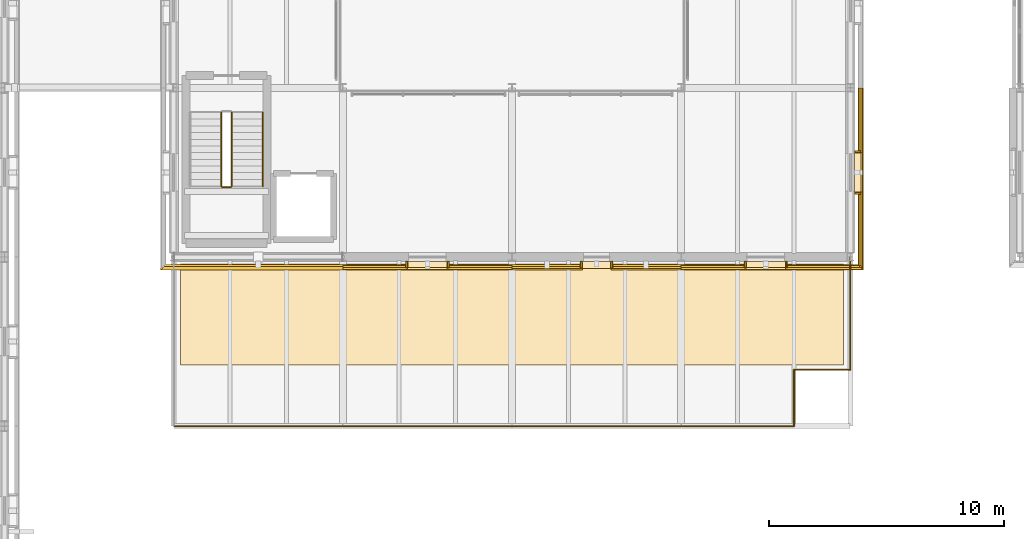
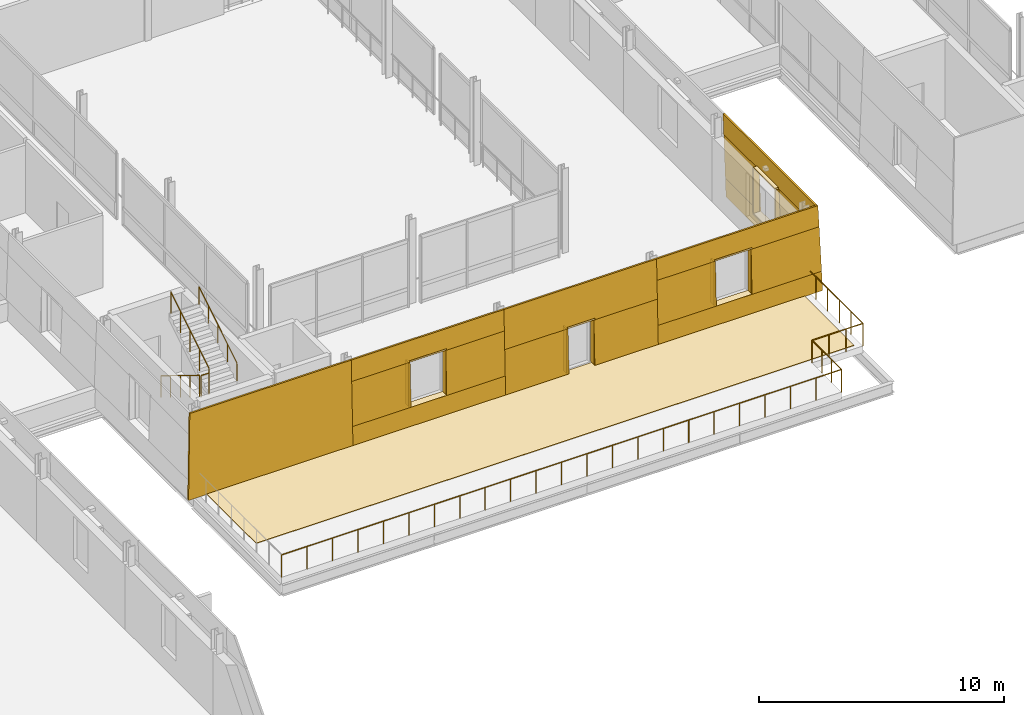
# One storey, part 77 of 91: 32 coverings, 8 railings.
"""IFC4 building model written with IfcOpenShell, lengths in metres."""

from ifc_helpers import new_model, si_unit, direction, frame, origin, origin_2d, place, context, subcontext, project, spatial, polyline, circle, outline, extrude, material, layer, layer_set, type_object, element, save


model = new_model("IFC4")

# Units and contexts
model_context = context("Model", 3, precision=1e-05, world=origin(), true_north=direction((0.0, 1.0)))
body_context = subcontext(model_context, "Body", "Model", "MODEL_VIEW")
ifc_project = project(units=[si_unit("LENGTHUNIT", "METRE"), si_unit("AREAUNIT", "SQUARE_METRE"), si_unit("VOLUMEUNIT", "CUBIC_METRE"), si_unit("PLANEANGLEUNIT", "RADIAN"), si_unit("MASSUNIT", "GRAM", prefix="KILO")], contexts=[model_context])

# Site, building, storey
site_placement = place(None, origin())
site = spatial("IfcSite", under=ifc_project, at=site_placement, CompositionType="ELEMENT")
building_placement = place(site_placement, origin())
building = spatial("IfcBuilding", under=site, at=building_placement, Name="Narikvali Park Central Library", CompositionType="ELEMENT")
storey_placement = place(building_placement, frame((0.0, 0.0, 14.39990234375)))
storey = spatial("IfcBuildingStorey", under=building, at=storey_placement, Name="L03", CompositionType="ELEMENT", Elevation=14.39990234375)

# Coverings
ifc_material_1 = material(Name="White Honed Limestone Cladding", Category="masonry")
ifc_layer_1 = layer(ifc_material_1, 0.0849609375, Name="White Honed Limestone Cladding")
ifc_layer_set_1 = layer_set([ifc_layer_1], Name="White Honed Limestone Cladding")
covering_type_1 = type_object("IfcCoveringType", Name="Battered White Limestone Facade Cladding Panel", PredefinedType="CLADDING", material=ifc_layer_set_1)
covering_1_placement = place(storey_placement, frame((28.2451171875, 57.045166015625, 0.0), z_axis=(0.0, -0.999434152338, 0.033635920379), x_axis=(1.0, 0.0, 0.0)))
element("IfcCovering", 1, at=covering_1_placement, inside=storey, type_object=covering_type_1, Name="V4 L03 S Battered Limestone Panel B01", PredefinedType="CLADDING", context=body_context, shape_type="SweptSolid", body=[
    extrude(outline(polyline([(0.0, 0.0), (7.7548828125, 0.0), (7.7548828125, 4.202573328791078), (0.141357421875, 4.202573328791078), (0.0, 0.0)])), origin(), (0.0, 0.0, -1.0), 0.0849609375),
])
covering_2_placement = place(storey_placement, frame((36.0, 57.045166015625, 0.0), z_axis=(0.0, -0.999434023877, 0.033639737186), x_axis=(1.0, 0.0, 0.0)))
element("IfcCovering", 2, at=covering_2_placement, inside=storey, type_object=covering_type_1, Name="V4 L03 S Battered Limestone Spandrel B02", PredefinedType="CLADDING", context=body_context, shape_type="SweptSolid", body=[
    extrude(outline(polyline([(0.0, 0.0), (7.199951171875, 0.0), (7.199951171875, 0.9507334049069504), (0.0, 0.9507334049069504), (0.0, 0.0)])), origin(), (0.0, 0.0, -1.0), 0.0849609375),
])
covering_3_placement = place(storey_placement, frame((36.0, 57.151123046875, 3.150146484375), z_axis=(0.0, -0.999432197748, 0.033693947611), x_axis=(1.0, 0.0, 0.0)))
element("IfcCovering", 3, at=covering_3_placement, inside=storey, type_object=covering_type_1, Name="V4 L03 S Battered Limestone Lintel B02", PredefinedType="CLADDING", context=body_context, shape_type="SweptSolid", body=[
    extrude(outline(polyline([(0.0, 0.0), (7.199951171875, 0.0), (7.199951171875, 1.0506453869422776), (0.0, 1.0506453869422776), (0.0, 0.0)])), origin(), (0.0, 0.0, -1.0), 0.0849609375),
])
for number, where, z_axis, x_axis, name in (
    (4, (36.0, 57.0771484375, 0.9501953125), (0.0, -0.999435139525, 0.033606574995), (1.0, 0.0, 0.0), "V4 L03 S Battered Limestone Jamb Pier L B02"),
    (5, (40.43994140625, 57.0771484375, 0.9501953125), (0.0, -0.999435139525, 0.033606574995), (1.0, 0.0, 0.0), "V4 L03 S Battered Limestone Jamb Pier R B02"),
):
    element("IfcCovering", number, at=place(storey_placement, frame(where, z_axis=z_axis, x_axis=x_axis)), inside=storey, type_object=covering_type_1, Name=name, PredefinedType="CLADDING", context=body_context, shape_type="SweptSolid", body=[
        extrude(outline(polyline([(0.0, 0.0), (2.760009765625, 0.0), (2.760009765625, 2.201194539668489), (0.0, 2.201194539668489), (0.0, 0.0)])), origin(), (0.0, 0.0, -1.0), 0.0849609375),
    ])
for number, where, z_axis, x_axis, name in (
    (6, (43.199951171875, 57.045166015625, 0.0), (0.0, -0.999433362172, 0.033659390617), (1.0, 0.0, 0.0), "V4 L03 S Battered Portal Pier L B03"),
    (7, (47.409912109375, 57.045166015625, 0.0), (0.0, -0.999433362172, 0.033659390617), (1.0, 0.0, 0.0), "V4 L03 S Battered Portal Pier R B03"),
):
    element("IfcCovering", number, at=place(storey_placement, frame(where, z_axis=z_axis, x_axis=x_axis)), inside=storey, type_object=covering_type_1, Name=name, PredefinedType="CLADDING", context=body_context, shape_type="SweptSolid", body=[
        extrude(outline(polyline([(0.0, 0.0), (2.989990234375, 0.0), (2.989990234375, 2.241260217195488), (0.0, 2.241260217195488), (0.0, 0.0)])), origin(), (0.0, 0.0, -1.0), 0.0849609375),
    ])
covering_4_placement = place(storey_placement, frame((43.199951171875, 57.12060546875, 2.239990234375), z_axis=(0.0, -0.999435054613, 0.033609100105), x_axis=(1.0, 0.0, 0.0)))
element("IfcCovering", 8, at=covering_4_placement, inside=storey, type_object=covering_type_1, Name="V4 L03 S Battered Portal Header B03", PredefinedType="CLADDING", context=body_context, shape_type="SweptSolid", body=[
    extrude(outline(polyline([(0.0, 0.0), (7.199951171875, 0.0), (7.199951171875, 1.961313112919802), (0.0, 1.961313112919802), (0.0, 0.0)])), origin(), (0.0, 0.0, -1.0), 0.0849609375),
])
covering_5_placement = place(storey_placement, frame((50.39990234375, 57.045166015625, 0.0), z_axis=(0.0, -0.999434023877, 0.033639737186), x_axis=(1.0, 0.0, 0.0)))
element("IfcCovering", 9, at=covering_5_placement, inside=storey, type_object=covering_type_1, Name="V4 L03 S Battered Limestone Spandrel B04", PredefinedType="CLADDING", context=body_context, shape_type="SweptSolid", body=[
    extrude(outline(polyline([(0.0, 0.0), (7.7548828125, 0.0), (7.722900390625, 0.9507334049069504), (0.0, 0.9507334049069504), (0.0, 0.0)])), origin(), (0.0, 0.0, -1.0), 0.0849609375),
])
covering_6_placement = place(storey_placement, frame((50.39990234375, 57.151123046875, 3.150146484375), z_axis=(0.0, -0.999432197748, 0.033693947611), x_axis=(1.0, 0.0, 0.0)))
element("IfcCovering", 10, at=covering_6_placement, inside=storey, type_object=covering_type_1, Name="V4 L03 S Battered Limestone Lintel B04", PredefinedType="CLADDING", context=body_context, shape_type="SweptSolid", body=[
    extrude(outline(polyline([(0.0, 0.0), (7.64892578125, 0.0), (7.613525390625, 1.0506453869422776), (0.0, 1.0506453869422776), (0.0, 0.0)])), origin(), (0.0, 0.0, -1.0), 0.0849609375),
])
covering_7_placement = place(storey_placement, frame((50.39990234375, 57.0771484375, 0.9501953125), z_axis=(0.0, -0.999435139525, 0.033606574995), x_axis=(1.0, 0.0, 0.0)))
element("IfcCovering", 11, at=covering_7_placement, inside=storey, type_object=covering_type_1, Name="V4 L03 S Battered Limestone Jamb Pier L B04", PredefinedType="CLADDING", context=body_context, shape_type="SweptSolid", body=[
    extrude(outline(polyline([(0.0, 0.0), (2.760009765625, 0.0), (2.760009765625, 2.201194539668489), (0.0, 2.201194539668489), (0.0, 0.0)])), origin(), (0.0, 0.0, -1.0), 0.0849609375),
])
covering_8_placement = place(storey_placement, frame((54.840087890625, 57.0771484375, 0.9501953125), z_axis=(0.0, -0.999435139525, 0.033606574995), x_axis=(1.0, 0.0, 0.0)))
element("IfcCovering", 12, at=covering_8_placement, inside=storey, type_object=covering_type_1, Name="V4 L03 S Battered Limestone Jamb Pier R B04", PredefinedType="CLADDING", context=body_context, shape_type="SweptSolid", body=[
    extrude(outline(polyline([(0.0, 0.0), (3.28271484375, 0.0), (3.208740234375, 2.201194539668488), (0.0, 2.201194539668488), (0.0, 0.0)])), origin(), (0.0, 0.0, -1.0), 0.0849609375),
])
covering_9_placement = place(storey_placement, frame((58.15478515625, 57.130126953125, 0.0), z_axis=(0.999434023877, 0.0, 0.033639737186), x_axis=(0.0, 1.0, 0.0)))
element("IfcCovering", 13, at=covering_9_placement, inside=storey, type_object=covering_type_1, Name="V4 L03 E Battered Limestone Spandrel B01", PredefinedType="CLADDING", context=body_context, shape_type="SweptSolid", body=[
    extrude(outline(polyline([(0.0, 0.0), (7.669921875, 0.0), (7.669921875, 0.9507334049069504), (0.031982421875, 0.9507334049069504), (0.0, 0.0)])), origin(), (0.0, 0.0, -1.0), 0.0849609375),
])
covering_10_placement = place(storey_placement, frame((58.048828125, 57.236083984375, 3.150146484375), z_axis=(0.999432197748, 0.0, 0.033693947611), x_axis=(0.0, 1.0, 0.0)))
element("IfcCovering", 14, at=covering_10_placement, inside=storey, type_object=covering_type_1, Name="V4 L03 E Battered Limestone Lintel B01", PredefinedType="CLADDING", context=body_context, shape_type="SweptSolid", body=[
    extrude(outline(polyline([(0.0, 0.0), (7.56396484375, 0.0), (7.56396484375, 1.0506453869422776), (0.035400390625, 1.0506453869422776), (0.0, 0.0)])), origin(), (0.0, 0.0, -1.0), 0.0849609375),
])
covering_11_placement = place(storey_placement, frame((58.122802734375, 57.162109375, 0.9501953125), z_axis=(0.999435139525, 0.0, 0.033606574995), x_axis=(0.0, 1.0, 0.0)))
element("IfcCovering", 15, at=covering_11_placement, inside=storey, type_object=covering_type_1, Name="V4 L03 E Battered Limestone Jamb Pier L B01", PredefinedType="CLADDING", context=body_context, shape_type="SweptSolid", body=[
    extrude(outline(polyline([(0.0, 0.0), (3.197998046875, 0.0), (3.197998046875, 2.2011945396684887), (0.073974609375, 2.2011945396684887), (0.0, 0.0)])), origin(), (0.0, 0.0, -1.0), 0.0849609375),
])
covering_12_placement = place(storey_placement, frame((58.122802734375, 62.0400390625, 0.9501953125), z_axis=(0.999435139525, 0.0, 0.033606574995), x_axis=(0.0, 1.0, 0.0)))
element("IfcCovering", 16, at=covering_12_placement, inside=storey, type_object=covering_type_1, Name="V4 L03 E Battered Limestone Jamb Pier R B01", PredefinedType="CLADDING", context=body_context, shape_type="SweptSolid", body=[
    extrude(outline(polyline([(0.0, 0.0), (2.760009765625, 0.0), (2.760009765625, 2.201194539668489), (0.0, 2.201194539668489), (0.0, 0.0)])), origin(), (0.0, 0.0, -1.0), 0.0849609375),
])
ifc_layer_2 = layer(ifc_material_1, 0.080078125, Name="White Honed Limestone Cladding")
ifc_layer_set_2 = layer_set([ifc_layer_2], Name="White Honed Limestone Cladding")
covering_type_2 = type_object("IfcCoveringType", Name="Deep Carved White Limestone Window Reveal", PredefinedType="CLADDING", material=ifc_layer_set_2)
covering_13_placement = place(storey_placement, frame((0.0, 0.0, 3.150146484375)))
element("IfcCovering", 17, at=covering_13_placement, inside=storey, type_object=covering_type_2, Name="Deep Stone Reveal Head V4-RVL-L03-S-B02", PredefinedType="CLADDING", context=body_context, shape_type="SweptSolid", body=[
    extrude(outline(polyline([(38.719970703125, 57.4150390625), (40.47998046875, 57.4150390625), (40.47998046875, 57.151123046875), (38.719970703125, 57.151123046875), (38.719970703125, 57.4150390625)])), origin(), (0.0, 0.0, 1.0), 0.079833984375),
])
covering_14_placement = place(storey_placement, frame((0.0, 0.0, 0.8701171875)))
element("IfcCovering", 18, at=covering_14_placement, inside=storey, type_object=covering_type_2, Name="Deep Stone Reveal Sill V4-RVL-L03-S-B02", PredefinedType="CLADDING", context=body_context, shape_type="SweptSolid", body=[
    extrude(outline(polyline([(38.719970703125, 57.4150390625), (40.47998046875, 57.4150390625), (40.47998046875, 57.0771484375), (38.719970703125, 57.0771484375), (38.719970703125, 57.4150390625)])), origin(), (0.0, 0.0, 1.0), 0.080078125),
])
covering_15_placement = place(storey_placement, frame((0.0, 0.0, 0.9501953125)))
element("IfcCovering", 19, at=covering_15_placement, inside=storey, type_object=covering_type_2, Name="Deep Stone Reveal Jamb L V4-RVL-L03-S-B02", PredefinedType="CLADDING", context=body_context, shape_type="SweptSolid", body=[
    extrude(outline(polyline([(38.679931640625, 57.4150390625), (38.760009765625, 57.4150390625), (38.760009765625, 57.151123046875), (38.679931640625, 57.151123046875), (38.679931640625, 57.4150390625)])), origin(), (0.0, 0.0, 1.0), 2.199951171875),
])
covering_16_placement = place(storey_placement, frame((0.0, 0.0, 0.9501953125)))
element("IfcCovering", 20, at=covering_16_placement, inside=storey, type_object=covering_type_2, Name="Deep Stone Reveal Jamb R V4-RVL-L03-S-B02", PredefinedType="CLADDING", context=body_context, shape_type="SweptSolid", body=[
    extrude(outline(polyline([(40.43994140625, 57.4150390625), (40.52001953125, 57.4150390625), (40.52001953125, 57.151123046875), (40.43994140625, 57.151123046875), (40.43994140625, 57.4150390625)])), origin(), (0.0, 0.0, 1.0), 2.199951171875),
])
covering_17_placement = place(storey_placement, frame((0.0, 0.0, 2.239990234375)))
element("IfcCovering", 21, at=covering_17_placement, inside=storey, type_object=covering_type_2, Name="Deep Stone Reveal Head V4-RVL-L03-S-B03", PredefinedType="CLADDING", context=body_context, shape_type="SweptSolid", body=[
    extrude(outline(polyline([(46.14990234375, 57.4150390625), (47.449951171875, 57.4150390625), (47.449951171875, 57.12060546875), (46.14990234375, 57.12060546875), (46.14990234375, 57.4150390625)])), origin(), (0.0, 0.0, 1.0), 0.080078125),
])
covering_18_placement = place(storey_placement, frame((0.0, 0.0, 0.02001953125)))
element("IfcCovering", 22, at=covering_18_placement, inside=storey, type_object=covering_type_2, Name="Deep Stone Reveal Jamb L V4-RVL-L03-S-B03", PredefinedType="CLADDING", context=body_context, shape_type="SweptSolid", body=[
    extrude(outline(polyline([(46.110107421875, 57.4150390625), (46.18994140625, 57.4150390625), (46.18994140625, 57.12060546875), (46.110107421875, 57.12060546875), (46.110107421875, 57.4150390625)])), origin(), (0.0, 0.0, 1.0), 2.219970703125),
])
covering_19_placement = place(storey_placement, frame((0.0, 0.0, 0.02001953125)))
element("IfcCovering", 23, at=covering_19_placement, inside=storey, type_object=covering_type_2, Name="Deep Stone Reveal Jamb R V4-RVL-L03-S-B03", PredefinedType="CLADDING", context=body_context, shape_type="SweptSolid", body=[
    extrude(outline(polyline([(47.409912109375, 57.4150390625), (47.489990234375, 57.4150390625), (47.489990234375, 57.12060546875), (47.409912109375, 57.12060546875), (47.409912109375, 57.4150390625)])), origin(), (0.0, 0.0, 1.0), 2.219970703125),
])
covering_20_placement = place(storey_placement, frame((0.0, 0.0, 3.150146484375)))
element("IfcCovering", 24, at=covering_20_placement, inside=storey, type_object=covering_type_2, Name="Deep Stone Reveal Head V4-RVL-L03-S-B04", PredefinedType="CLADDING", context=body_context, shape_type="SweptSolid", body=[
    extrude(outline(polyline([(53.1201171875, 57.4150390625), (54.8798828125, 57.4150390625), (54.8798828125, 57.151123046875), (53.1201171875, 57.151123046875), (53.1201171875, 57.4150390625)])), origin(), (0.0, 0.0, 1.0), 0.079833984375),
])
covering_21_placement = place(storey_placement, frame((0.0, 0.0, 0.8701171875)))
element("IfcCovering", 25, at=covering_21_placement, inside=storey, type_object=covering_type_2, Name="Deep Stone Reveal Sill V4-RVL-L03-S-B04", PredefinedType="CLADDING", context=body_context, shape_type="SweptSolid", body=[
    extrude(outline(polyline([(53.1201171875, 57.4150390625), (54.8798828125, 57.4150390625), (54.8798828125, 57.0771484375), (53.1201171875, 57.0771484375), (53.1201171875, 57.4150390625)])), origin(), (0.0, 0.0, 1.0), 0.080078125),
])
covering_22_placement = place(storey_placement, frame((0.0, 0.0, 0.9501953125)))
element("IfcCovering", 26, at=covering_22_placement, inside=storey, type_object=covering_type_2, Name="Deep Stone Reveal Jamb L V4-RVL-L03-S-B04", PredefinedType="CLADDING", context=body_context, shape_type="SweptSolid", body=[
    extrude(outline(polyline([(53.080078125, 57.4150390625), (53.159912109375, 57.4150390625), (53.159912109375, 57.151123046875), (53.080078125, 57.151123046875), (53.080078125, 57.4150390625)])), origin(), (0.0, 0.0, 1.0), 2.199951171875),
])
covering_23_placement = place(storey_placement, frame((0.0, 0.0, 0.9501953125)))
element("IfcCovering", 27, at=covering_23_placement, inside=storey, type_object=covering_type_2, Name="Deep Stone Reveal Jamb R V4-RVL-L03-S-B04", PredefinedType="CLADDING", context=body_context, shape_type="SweptSolid", body=[
    extrude(outline(polyline([(54.840087890625, 57.4150390625), (54.919921875, 57.4150390625), (54.919921875, 57.151123046875), (54.840087890625, 57.151123046875), (54.840087890625, 57.4150390625)])), origin(), (0.0, 0.0, 1.0), 2.199951171875),
])
covering_24_placement = place(storey_placement, frame((0.0, 0.0, 3.150146484375)))
element("IfcCovering", 28, at=covering_24_placement, inside=storey, type_object=covering_type_2, Name="Deep Stone Reveal Head V4-RVL-L03-E-B01", PredefinedType="CLADDING", context=body_context, shape_type="SweptSolid", body=[
    extrude(outline(polyline([(57.784912109375, 60.320068359375), (57.784912109375, 62.080078125), (58.048828125, 62.080078125), (58.048828125, 60.320068359375), (57.784912109375, 60.320068359375)])), origin(), (0.0, 0.0, 1.0), 0.079833984375),
])
covering_25_placement = place(storey_placement, frame((0.0, 0.0, 0.8701171875)))
element("IfcCovering", 29, at=covering_25_placement, inside=storey, type_object=covering_type_2, Name="Deep Stone Reveal Sill V4-RVL-L03-E-B01", PredefinedType="CLADDING", context=body_context, shape_type="SweptSolid", body=[
    extrude(outline(polyline([(57.784912109375, 60.320068359375), (57.784912109375, 62.080078125), (58.122802734375, 62.080078125), (58.122802734375, 60.320068359375), (57.784912109375, 60.320068359375)])), origin(), (0.0, 0.0, 1.0), 0.080078125),
])
covering_26_placement = place(storey_placement, frame((0.0, 0.0, 0.9501953125)))
element("IfcCovering", 30, at=covering_26_placement, inside=storey, type_object=covering_type_2, Name="Deep Stone Reveal Jamb L V4-RVL-L03-E-B01", PredefinedType="CLADDING", context=body_context, shape_type="SweptSolid", body=[
    extrude(outline(polyline([(57.784912109375, 60.280029296875), (57.784912109375, 60.360107421875), (58.048828125, 60.360107421875), (58.048828125, 60.280029296875), (57.784912109375, 60.280029296875)])), origin(), (0.0, 0.0, 1.0), 2.199951171875),
])
covering_27_placement = place(storey_placement, frame((0.0, 0.0, 0.9501953125)))
element("IfcCovering", 31, at=covering_27_placement, inside=storey, type_object=covering_type_2, Name="Deep Stone Reveal Jamb R V4-RVL-L03-E-B01", PredefinedType="CLADDING", context=body_context, shape_type="SweptSolid", body=[
    extrude(outline(polyline([(57.784912109375, 62.0400390625), (57.784912109375, 62.1201171875), (58.048828125, 62.1201171875), (58.048828125, 62.0400390625), (57.784912109375, 62.0400390625)])), origin(), (0.0, 0.0, 1.0), 2.199951171875),
])
ifc_material_2 = material(Name="Root-Resistant EPDM Waterproofing Membrane")
ifc_layer_3 = layer(ifc_material_2, 0.02490234375, Name="Root-Resistant EPDM Waterproofing Membrane")
ifc_layer_set_3 = layer_set([ifc_layer_3], Name="Root-Resistant EPDM Waterproofing Membrane")
covering_type_3 = type_object("IfcCoveringType", Name="Planted Roof Waterproofing Membrane", PredefinedType="MEMBRANE", material=ifc_layer_set_3)
covering_28_placement = place(storey_placement, origin())
element("IfcCovering", 32, at=covering_28_placement, inside=storey, type_object=covering_type_3, Name="V4 L03 Terrace EPDM Membrane", PredefinedType="MEMBRANE", context=body_context, shape_type="SweptSolid", body=[
    extrude(outline(polyline([(29.10009765625, 53.0), (57.300048828125, 53.0), (57.300048828125, 57.300048828125), (29.10009765625, 57.300048828125), (29.10009765625, 53.0)])), origin(), (0.0, 0.0, 1.0), 0.025146484375),
])

# Railings
ifc_material_3 = material(Name="Brushed Stainless Steel S355", Category="steel")
ifc_layer_4 = layer(ifc_material_3, 0.044921875, Name="Brushed Stainless Steel S355")
ifc_layer_set_4 = layer_set([ifc_layer_4], Name="Brushed Stainless Steel S355")
railing_type_1 = type_object("IfcRailingType", Name="Stair Tubular Steel Handrail 900", PredefinedType="HANDRAIL", material=ifc_layer_set_4)
railing_1_placement = place(storey_placement, frame((32.60009765625, 60.614990234375, 2.275146484375)))
element("IfcRailing", 33, at=railing_1_placement, inside=storey, type_object=railing_type_1, Name="L03 ST-07 stair handrail 2", PredefinedType="HANDRAIL", context=body_context, shape_type="SweptSolid", body=[
    extrude(circle(Radius=0.02392578125, at=origin_2d()), frame((0.0, 0.0, 0.8759765625), z_axis=(0.0, 0.852166034122, 0.523271488128), x_axis=(-1.0, 0.0, 0.0)), (0.0, 0.0, 1.0), 3.678955078125),
    extrude(circle(Radius=0.02099609375, at=origin_2d()), origin(), (0.0, 0.0, 1.0), 0.851806640625),
    extrude(circle(Radius=0.02099609375, at=origin_2d()), frame((0.0, 0.78369140625, 0.481201171875)), (0.0, 0.0, 1.0), 0.851806640625),
    extrude(circle(Radius=0.02099609375, at=origin_2d()), frame((0.0, 1.5673828125, 0.96240234375)), (0.0, 0.0, 1.0), 0.851806640625),
    extrude(circle(Radius=0.02099609375, at=origin_2d()), frame((0.0, 2.351318359375, 1.44384765625)), (0.0, 0.0, 1.0), 0.851806640625),
    extrude(circle(Radius=0.02099609375, at=origin_2d()), frame((0.0, 3.135009765625, 1.925048828125)), (0.0, 0.0, 1.0), 0.851806640625),
])
ifc_material_4 = material(Name="Powder-Coated Steel S275", Category="steel")
ifc_layer_5 = layer(ifc_material_4, 0.050048828125, Name="Powder-Coated Steel S275")
ifc_layer_set_5 = layer_set([ifc_layer_5], Name="Powder-Coated Steel S275")
railing_type_2 = type_object("IfcRailingType", Name="Stair Well Steel Guardrail 1100", PredefinedType="GUARDRAIL", material=ifc_layer_set_5)
railing_2_placement = place(storey_placement, frame((30.820068359375, 63.75, 0.175048828125)))
element("IfcRailing", 34, at=railing_2_placement, inside=storey, type_object=railing_type_2, Name="L03 ST-07 stair guard 1", PredefinedType="GUARDRAIL", context=body_context, shape_type="SweptSolid", body=[
    extrude(circle(Radius=0.02392578125, at=origin_2d()), frame((0.0, 0.0, 1.076171875), z_axis=(0.0, -0.852166034122, 0.523271488128), x_axis=(1.0, 0.0, 0.0)), (0.0, 0.0, 1.0), 3.678955078125),
    extrude(circle(Radius=0.02099609375, at=origin_2d()), origin(), (0.0, 0.0, 1.0), 1.052001953125),
    extrude(circle(Radius=0.02099609375, at=origin_2d()), frame((0.0, -0.78369140625, 0.481201171875)), (0.0, 0.0, 1.0), 1.052001953125),
    extrude(circle(Radius=0.02099609375, at=origin_2d()), frame((0.0, -1.5673828125, 0.96240234375)), (0.0, 0.0, 1.0), 1.052001953125),
    extrude(circle(Radius=0.02099609375, at=origin_2d()), frame((0.0, -2.351318359375, 1.44384765625)), (0.0, 0.0, 1.0), 1.052001953125),
    extrude(circle(Radius=0.02099609375, at=origin_2d()), frame((0.0, -3.135009765625, 1.925048828125)), (0.0, 0.0, 1.0), 1.052001953125),
])
railing_3_placement = place(storey_placement, frame((30.8701171875, 60.56494140625, 2.10009765625)))
element("IfcRailing", 35, at=railing_3_placement, inside=storey, type_object=railing_type_2, Name="L03 ST-07 stair guard 2", PredefinedType="GUARDRAIL", context=body_context, shape_type="SweptSolid", body=[
    extrude(circle(Radius=0.02392578125, at=origin_2d()), frame((0.0, 0.0, 1.076171875), z_axis=(1.0, 0.0, 0.0), x_axis=(0.0, 1.0, 0.0)), (0.0, 0.0, 1.0), 0.35986328125),
    extrude(circle(Radius=0.02099609375, at=origin_2d()), origin(), (0.0, 0.0, 1.0), 1.052001953125),
    extrude(circle(Radius=0.02099609375, at=origin_2d()), frame((0.35986328125, 0.0, 0.0)), (0.0, 0.0, 1.0), 1.052001953125),
])
railing_4_placement = place(storey_placement, frame((31.280029296875, 60.614990234375, 2.275146484375)))
element("IfcRailing", 36, at=railing_4_placement, inside=storey, type_object=railing_type_2, Name="L03 ST-07 stair guard 3", PredefinedType="GUARDRAIL", context=body_context, shape_type="SweptSolid", body=[
    extrude(circle(Radius=0.02392578125, at=origin_2d()), frame((0.0, 0.0, 1.076171875), z_axis=(0.0, 0.852166034122, 0.523271488128), x_axis=(-1.0, 0.0, 0.0)), (0.0, 0.0, 1.0), 3.678955078125),
    extrude(circle(Radius=0.02099609375, at=origin_2d()), origin(), (0.0, 0.0, 1.0), 1.052001953125),
    extrude(circle(Radius=0.02099609375, at=origin_2d()), frame((0.0, 0.78369140625, 0.481201171875)), (0.0, 0.0, 1.0), 1.052001953125),
    extrude(circle(Radius=0.02099609375, at=origin_2d()), frame((0.0, 1.5673828125, 0.96240234375)), (0.0, 0.0, 1.0), 1.052001953125),
    extrude(circle(Radius=0.02099609375, at=origin_2d()), frame((0.0, 2.351318359375, 1.44384765625)), (0.0, 0.0, 1.0), 1.052001953125),
    extrude(circle(Radius=0.02099609375, at=origin_2d()), frame((0.0, 3.135009765625, 1.925048828125)), (0.0, 0.0, 1.0), 1.052001953125),
])
ifc_material_5 = material(Name="Anodised Bronze and White Limestone", Category="masonry")
ifc_layer_6 = layer(ifc_material_5, 0.080078125, Name="Anodised Bronze and White Limestone")
ifc_layer_set_6 = layer_set([ifc_layer_6], Name="Anodised Bronze and White Limestone")
railing_type_3 = type_object("IfcRailingType", Name="Terrace Stone and Bronze Balustrade 1150", PredefinedType="BALUSTRADE", material=ifc_layer_set_6)
railing_5_placement = place(storey_placement, frame((28.800048828125, 50.39990234375, 0.0)))
element("IfcRailing", 37, at=railing_5_placement, inside=storey, type_object=railing_type_3, Name="V4 L03 Roof Garden Balustrade 1", PredefinedType="BALUSTRADE", context=body_context, shape_type="SweptSolid", body=[
    extrude(circle(Radius=0.02392578125, at=origin_2d()), frame((0.0, 0.0, 1.1259765625), z_axis=(1.0, 0.0, 0.0), x_axis=(0.0, 1.0, 0.0)), (0.0, 0.0, 1.0), 26.39990234375),
    extrude(circle(Radius=0.02099609375, at=origin_2d()), origin(), (0.0, 0.0, 1.0), 1.101806640625),
    extrude(circle(Radius=0.02099609375, at=origin_2d()), frame((1.199951171875, 0.0, 0.0)), (0.0, 0.0, 1.0), 1.101806640625),
    extrude(circle(Radius=0.02099609375, at=origin_2d()), frame((2.39990234375, 0.0, 0.0)), (0.0, 0.0, 1.0), 1.101806640625),
    extrude(circle(Radius=0.02099609375, at=origin_2d()), frame((3.60009765625, 0.0, 0.0)), (0.0, 0.0, 1.0), 1.101806640625),
    extrude(circle(Radius=0.02099609375, at=origin_2d()), frame((4.800048828125, 0.0, 0.0)), (0.0, 0.0, 1.0), 1.101806640625),
    extrude(circle(Radius=0.02099609375, at=origin_2d()), frame((6.0, 0.0, 0.0)), (0.0, 0.0, 1.0), 1.101806640625),
    extrude(circle(Radius=0.02099609375, at=origin_2d()), frame((7.199951171875, 0.0, 0.0)), (0.0, 0.0, 1.0), 1.101806640625),
    extrude(circle(Radius=0.02099609375, at=origin_2d()), frame((8.39990234375, 0.0, 0.0)), (0.0, 0.0, 1.0), 1.101806640625),
    extrude(circle(Radius=0.02099609375, at=origin_2d()), frame((9.599853515625, 0.0, 0.0)), (0.0, 0.0, 1.0), 1.101806640625),
    extrude(circle(Radius=0.02099609375, at=origin_2d()), frame((10.800048828125, 0.0, 0.0)), (0.0, 0.0, 1.0), 1.101806640625),
    extrude(circle(Radius=0.02099609375, at=origin_2d()), frame((12.0, 0.0, 0.0)), (0.0, 0.0, 1.0), 1.101806640625),
    extrude(circle(Radius=0.02099609375, at=origin_2d()), frame((13.199951171875, 0.0, 0.0)), (0.0, 0.0, 1.0), 1.101806640625),
    extrude(circle(Radius=0.02099609375, at=origin_2d()), frame((14.39990234375, 0.0, 0.0)), (0.0, 0.0, 1.0), 1.101806640625),
    extrude(circle(Radius=0.02099609375, at=origin_2d()), frame((15.599853515625, 0.0, 0.0)), (0.0, 0.0, 1.0), 1.101806640625),
    extrude(circle(Radius=0.02099609375, at=origin_2d()), frame((16.800048828125, 0.0, 0.0)), (0.0, 0.0, 1.0), 1.101806640625),
    extrude(circle(Radius=0.02099609375, at=origin_2d()), frame((18.0, 0.0, 0.0)), (0.0, 0.0, 1.0), 1.101806640625),
    extrude(circle(Radius=0.02099609375, at=origin_2d()), frame((19.199951171875, 0.0, 0.0)), (0.0, 0.0, 1.0), 1.101806640625),
    extrude(circle(Radius=0.02099609375, at=origin_2d()), frame((20.39990234375, 0.0, 0.0)), (0.0, 0.0, 1.0), 1.101806640625),
    extrude(circle(Radius=0.02099609375, at=origin_2d()), frame((21.599853515625, 0.0, 0.0)), (0.0, 0.0, 1.0), 1.101806640625),
    extrude(circle(Radius=0.02099609375, at=origin_2d()), frame((22.7998046875, 0.0, 0.0)), (0.0, 0.0, 1.0), 1.101806640625),
    extrude(circle(Radius=0.02099609375, at=origin_2d()), frame((24.0, 0.0, 0.0)), (0.0, 0.0, 1.0), 1.101806640625),
    extrude(circle(Radius=0.02099609375, at=origin_2d()), frame((25.199951171875, 0.0, 0.0)), (0.0, 0.0, 1.0), 1.101806640625),
    extrude(circle(Radius=0.02099609375, at=origin_2d()), frame((26.39990234375, 0.0, 0.0)), (0.0, 0.0, 1.0), 1.101806640625),
])
railing_6_placement = place(storey_placement, frame((55.199951171875, 50.39990234375, 0.0)))
element("IfcRailing", 38, at=railing_6_placement, inside=storey, type_object=railing_type_3, Name="V4 L03 Roof Garden Balustrade 2", PredefinedType="BALUSTRADE", context=body_context, shape_type="SweptSolid", body=[
    extrude(circle(Radius=0.02392578125, at=origin_2d()), frame((0.0, 0.0, 1.1259765625), z_axis=(0.0, 1.0, 0.0), x_axis=(-1.0, 0.0, 0.0)), (0.0, 0.0, 1.0), 2.400146484375),
    extrude(circle(Radius=0.02099609375, at=origin_2d()), origin(), (0.0, 0.0, 1.0), 1.101806640625),
    extrude(circle(Radius=0.02099609375, at=origin_2d()), frame((0.0, 0.800048828125, 0.0)), (0.0, 0.0, 1.0), 1.101806640625),
    extrude(circle(Radius=0.02099609375, at=origin_2d()), frame((0.0, 1.60009765625, 0.0)), (0.0, 0.0, 1.0), 1.101806640625),
    extrude(circle(Radius=0.02099609375, at=origin_2d()), frame((0.0, 2.400146484375, 0.0)), (0.0, 0.0, 1.0), 1.101806640625),
])
railing_7_placement = place(storey_placement, frame((55.199951171875, 52.800048828125, 0.0)))
element("IfcRailing", 39, at=railing_7_placement, inside=storey, type_object=railing_type_3, Name="V4 L03 Roof Garden Balustrade 3", PredefinedType="BALUSTRADE", context=body_context, shape_type="SweptSolid", body=[
    extrude(circle(Radius=0.02392578125, at=origin_2d()), frame((0.0, 0.0, 1.1259765625), z_axis=(1.0, 0.0, 0.0), x_axis=(0.0, 1.0, 0.0)), (0.0, 0.0, 1.0), 2.400146484375),
    extrude(circle(Radius=0.02099609375, at=origin_2d()), origin(), (0.0, 0.0, 1.0), 1.101806640625),
    extrude(circle(Radius=0.02099609375, at=origin_2d()), frame((0.800048828125, 0.0, 0.0)), (0.0, 0.0, 1.0), 1.101806640625),
    extrude(circle(Radius=0.02099609375, at=origin_2d()), frame((1.60009765625, 0.0, 0.0)), (0.0, 0.0, 1.0), 1.101806640625),
    extrude(circle(Radius=0.02099609375, at=origin_2d()), frame((2.400146484375, 0.0, 0.0)), (0.0, 0.0, 1.0), 1.101806640625),
])
railing_8_placement = place(storey_placement, frame((57.60009765625, 52.800048828125, 0.0)))
element("IfcRailing", 40, at=railing_8_placement, inside=storey, type_object=railing_type_3, Name="V4 L03 Roof Garden Balustrade 4", PredefinedType="BALUSTRADE", context=body_context, shape_type="SweptSolid", body=[
    extrude(circle(Radius=0.02392578125, at=origin_2d()), frame((0.0, 0.0, 1.1259765625), z_axis=(0.0, 1.0, 0.0), x_axis=(-1.0, 0.0, 0.0)), (0.0, 0.0, 1.0), 4.800048828125),
    extrude(circle(Radius=0.02099609375, at=origin_2d()), origin(), (0.0, 0.0, 1.0), 1.101806640625),
    extrude(circle(Radius=0.02099609375, at=origin_2d()), frame((0.0, 0.9599609375, 0.0)), (0.0, 0.0, 1.0), 1.101806640625),
    extrude(circle(Radius=0.02099609375, at=origin_2d()), frame((0.0, 1.919921875, 0.0)), (0.0, 0.0, 1.0), 1.101806640625),
    extrude(circle(Radius=0.02099609375, at=origin_2d()), frame((0.0, 2.880126953125, 0.0)), (0.0, 0.0, 1.0), 1.101806640625),
    extrude(circle(Radius=0.02099609375, at=origin_2d()), frame((0.0, 3.840087890625, 0.0)), (0.0, 0.0, 1.0), 1.101806640625),
    extrude(circle(Radius=0.02099609375, at=origin_2d()), frame((0.0, 4.800048828125, 0.0)), (0.0, 0.0, 1.0), 1.101806640625),
])

save(model, "model.ifc")
